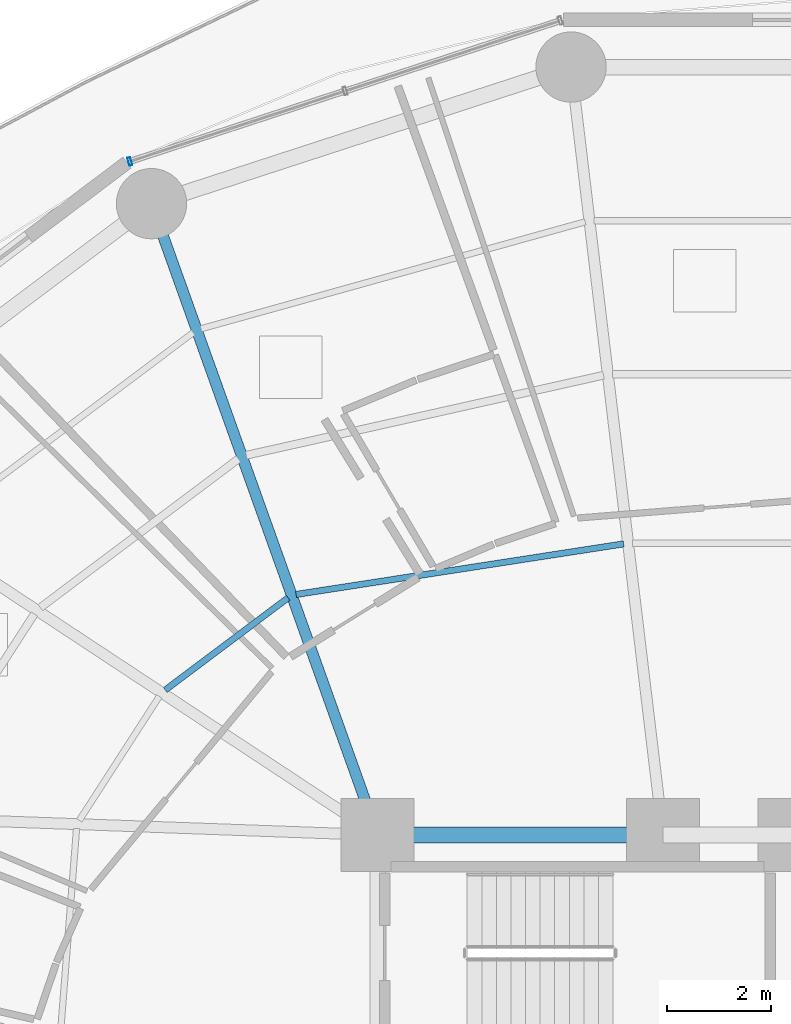
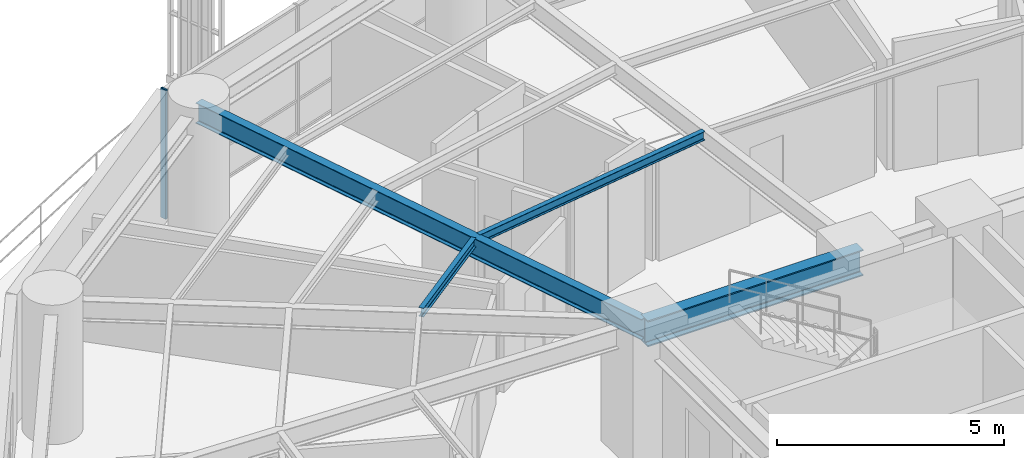
# One storey, part 17 of 34: 4 beams, 1 member, 1 element without a shape of its own.
"""IFC4 building model written with IfcOpenShell, lengths in metres."""

from ifc_helpers import new_model, si_unit, direction, frame, origin, origin_2d, place, context, subcontext, project, spatial, hollow_rectangle, i_section, extrude, material, layer, layer_set, material_profile, profile_set, type_object, element, aggregate, save


model = new_model("IFC4")

# Units and contexts
model_context = context("Model", 3, precision=1e-05, world=origin(), true_north=direction((0.0, 1.0)))
body_context = subcontext(model_context, "Body", "Model", "MODEL_VIEW")
ifc_project = project(units=[si_unit("LENGTHUNIT", "METRE"), si_unit("AREAUNIT", "SQUARE_METRE"), si_unit("VOLUMEUNIT", "CUBIC_METRE"), si_unit("PLANEANGLEUNIT", "RADIAN"), si_unit("MASSUNIT", "GRAM", prefix="KILO")], contexts=[model_context])

# Site, building, storey
site_placement = place(None, origin())
site = spatial("IfcSite", under=ifc_project, at=site_placement, CompositionType="ELEMENT")
building_placement = place(site_placement, origin())
building = spatial("IfcBuilding", under=site, at=building_placement, Name="Kelanora Arch Commons", CompositionType="ELEMENT")
storey_placement = place(building_placement, frame((0.0, 0.0, 76.35009765625)))
storey = spatial("IfcBuildingStorey", under=building, at=storey_placement, Name="L19", CompositionType="ELEMENT", Elevation=76.35009765625)

# Beams
ifc_material_1 = material(Name="Steel S355", Category="steel")
ifc_material_profile_1 = material_profile(ifc_material_1, i_section(OverallWidth=0.300048828125, OverallDepth=0.699951171875, WebThickness=0.01708984375, FlangeThickness=0.031982421875, FilletRadius=0.027099609375, at=origin_2d()), Name="HEB700")
ifc_profile_set_1 = profile_set([ifc_material_profile_1], Name="Steel S355")
beam_type_1 = type_object("IfcBeamType", Name="BM-CORE-HDR", PredefinedType="BEAM", material=ifc_profile_set_1)
beam_1_placement = place(storey_placement, frame((71.47998046875, 65.0, 3.139892578125), z_axis=(-1.0, 0.0, 0.0), x_axis=(0.0, -1.0, 0.0)))
element("IfcBeam", 1, at=beam_1_placement, inside=storey, type_object=beam_type_1, Name="Core Header Beam 07 L19", PredefinedType="BEAM", context=body_context, shape_type="SweptSolid", body=[
    extrude(i_section(OverallWidth=0.300048828125, OverallDepth=0.699951171875, WebThickness=0.01708984375, FlangeThickness=0.031982421875, FilletRadius=0.027099609375, at=origin_2d()), origin(), (0.0, 0.0, 1.0), 5.47998046875),
])
ifc_material_profile_2 = material_profile(ifc_material_1, i_section(OverallWidth=0.1201171875, OverallDepth=0.239990234375, WebThickness=0.006103515625, FlangeThickness=0.009765625, FilletRadius=0.014892578125, at=origin_2d()), Name="IPE240")
ifc_profile_set_2 = profile_set([ifc_material_profile_2], Name="Steel S355")
beam_type_2 = type_object("IfcBeamType", Name="BM-JST-02", PredefinedType="JOIST", material=ifc_profile_set_2)
beam_2_placement = place(storey_placement, frame((70.72509765625, 70.590087890625, 3.369873046875), z_axis=(-0.988295745497, -0.152550055496, 0.0), x_axis=(0.152550055496, -0.988295745497, 0.0)))
element("IfcBeam", 2, at=beam_2_placement, inside=storey, type_object=beam_type_2, Name="Secondary Chord Joist BJA-10 L19", PredefinedType="JOIST", context=body_context, shape_type="SweptSolid", body=[
    extrude(i_section(OverallWidth=0.1201171875, OverallDepth=0.239990234375, WebThickness=0.006103515625, FlangeThickness=0.009765625, FilletRadius=0.014892578125, at=origin_2d()), origin(), (0.0, 0.0, 1.0), 6.36474609375),
])
beam_3_placement = place(storey_placement, frame((64.28271484375, 69.555419921875, 3.369873046875), z_axis=(-0.799692034361, -0.600410401458, 0.0), x_axis=(0.600410401458, -0.799692034361, 0.0)))
element("IfcBeam", 3, at=beam_3_placement, inside=storey, type_object=beam_type_2, Name="Secondary Chord Joist BJA-12 L19", PredefinedType="JOIST", context=body_context, shape_type="SweptSolid", body=[
    extrude(i_section(OverallWidth=0.1201171875, OverallDepth=0.239990234375, WebThickness=0.006103515625, FlangeThickness=0.009765625, FilletRadius=0.014892578125, at=origin_2d()), origin(), (0.0, 0.0, 1.0), 2.949951171875),
])
ifc_material_profile_3 = material_profile(ifc_material_1, i_section(OverallWidth=0.2099609375, OverallDepth=0.550048828125, WebThickness=0.010986328125, FlangeThickness=0.01708984375, FilletRadius=0.02392578125, at=origin_2d()), Name="IPE550")
ifc_profile_set_3 = profile_set([ifc_material_profile_3], Name="Steel S355")
beam_type_3 = type_object("IfcBeamType", Name="BM-RAD-Z2", PredefinedType="BEAM", material=ifc_profile_set_3)
beam_4_placement = place(storey_placement, frame((66.0, 65.0, 3.21484375), z_axis=(-0.337084640008, 0.941474346687, 0.0), x_axis=(-0.941474346687, -0.337084640008, 0.0)))
element("IfcBeam", 4, at=beam_4_placement, inside=storey, type_object=beam_type_3, Name="Radial Floor Girder BR-12 L19", PredefinedType="BEAM", context=body_context, shape_type="SweptSolid", body=[
    extrude(i_section(OverallWidth=0.2099609375, OverallDepth=0.550048828125, WebThickness=0.010986328125, FlangeThickness=0.01708984375, FilletRadius=0.02392578125, at=origin_2d()), origin(), (0.0, 0.0, 1.0), 12.875244140625),
])

# Curtain wall, member
ifc_material_2 = material(Name="Terracotta ceramic-fritted low-E glass and aluminium", Category="masonry")
ifc_layer = layer(ifc_material_2, 0.159912109375)
ifc_layer_set = layer_set([ifc_layer], Name="Terracotta ceramic-fritted low-E glass and aluminium")
curtain_wall_type = type_object("IfcCurtainWallType", Name="CW-SYS-01", PredefinedType="NOTDEFINED", material=ifc_layer_set)
curtain_wall_placement = place(storey_placement, origin())
curtain_wall = element("IfcCurtainWall", 5, at=curtain_wall_placement, inside=storey, type_object=curtain_wall_type, Name="Unitised Curtain Wall L19-B05", PredefinedType="NOTDEFINED")
ifc_material_3 = material(Name="Powder-coated aluminium terracotta", Category="masonry")
ifc_material_profile_4 = material_profile(ifc_material_3, hollow_rectangle(XDim=0.159912109375, YDim=0.06005859375, WallThickness=0.0048828125, InnerFilletRadius=0.0048828125, OuterFilletRadius=0.010009765625, at=origin_2d()), Name="CWM160x60")
ifc_profile_set_4 = profile_set([ifc_material_profile_4], Name="Powder-coated aluminium terracotta")
member_type = type_object("IfcMemberType", Name="CWM-STD", PredefinedType="MULLION", material=ifc_profile_set_4)
member_placement = place(storey_placement, frame((61.242919921875, 77.9326171875, 0.0), z_axis=(0.0, 0.0, 1.0), x_axis=(0.31080470294, -0.950473795867, 0.0)))
member = element("IfcMember", 6, at=member_placement, type_object=member_type, Name="CW-01 mullion 3", PredefinedType="MULLION", context=body_context, shape_type="SweptSolid", body=[
    extrude(hollow_rectangle(XDim=0.159912109375, YDim=0.06005859375, WallThickness=0.0048828125, InnerFilletRadius=0.0048828125, OuterFilletRadius=0.010009765625, at=origin_2d()), origin(), (0.0, 0.0, 1.0), 3.474853515625),
])
aggregate(curtain_wall, [member])

save(model, "model.ifc")
